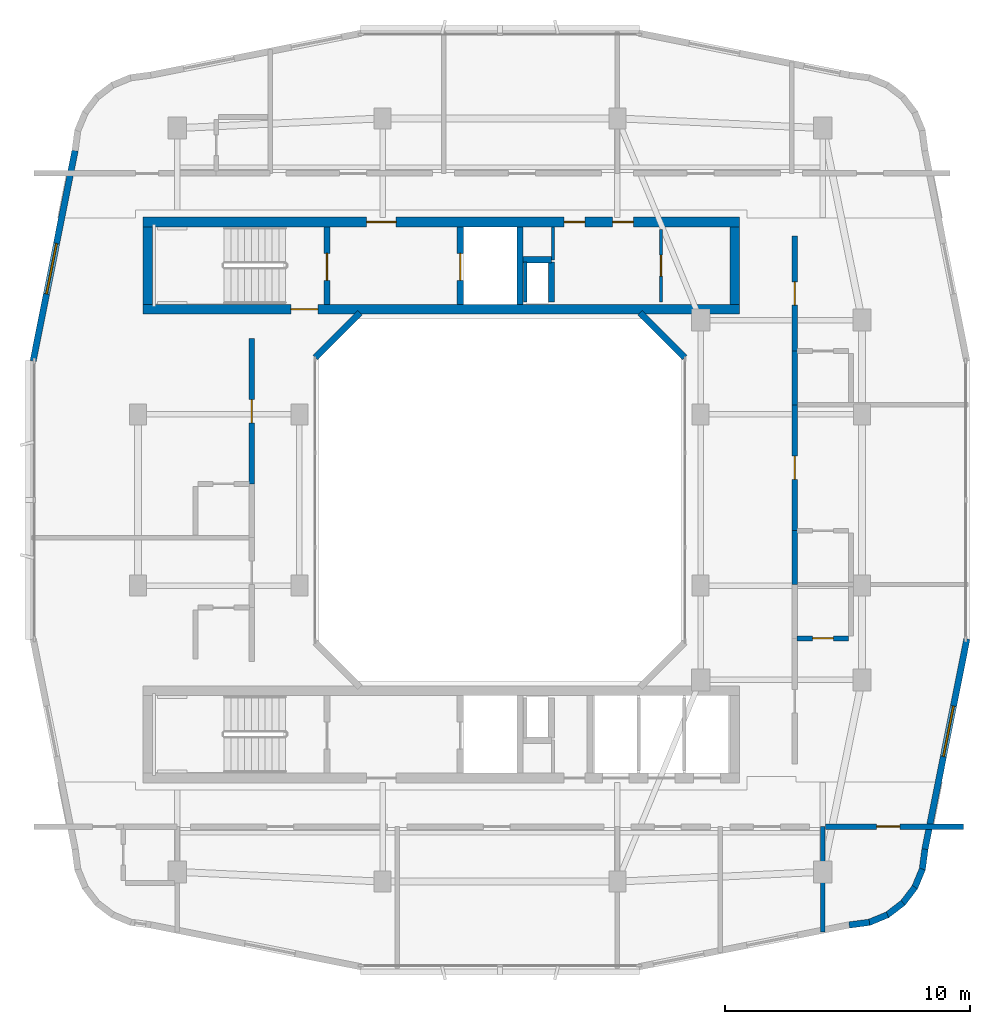
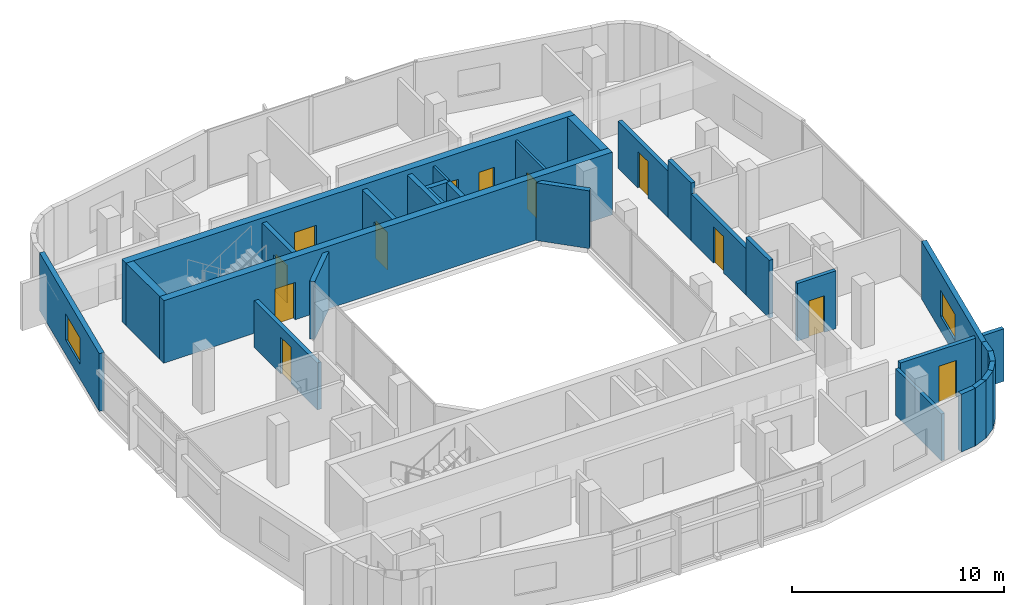
# One storey, part 8 of 14: 30 walls, 12 doors, 2 windows, 14 openings.
"""IFC4 building model written with IfcOpenShell, lengths in metres."""

from ifc_helpers import new_model, si_unit, derived_unit, direction, frame, frame_2d, origin, place, context, subcontext, project, spatial, rectangle, extrude, material, layer, layer_set, type_object, element, fill, save


model = new_model("IFC4")

# Units and contexts
model_context = context("Model", 3, precision=1e-05, world=origin(), true_north=direction((0.0, 1.0)))
body_context = subcontext(model_context, "Body", "Model", "MODEL_VIEW")
ifc_project = project(units=[si_unit("LENGTHUNIT", "METRE"), si_unit("AREAUNIT", "SQUARE_METRE"), si_unit("VOLUMEUNIT", "CUBIC_METRE"), si_unit("PLANEANGLEUNIT", "RADIAN"), si_unit("MASSUNIT", "GRAM", prefix="KILO"), derived_unit("THERMALTRANSMITTANCEUNIT", [(si_unit("POWERUNIT", "WATT"), 1), (si_unit("LENGTHUNIT", "METRE"), -2), (si_unit("THERMODYNAMICTEMPERATUREUNIT", "KELVIN"), -1)])], contexts=[model_context])

# Site, building, storey
site_placement = place(None, origin())
site = spatial("IfcSite", under=ifc_project, at=site_placement, CompositionType="ELEMENT")
building_placement = place(site_placement, origin())
building = spatial("IfcBuilding", under=site, at=building_placement, Name="Kivonza Crest Hotel", CompositionType="ELEMENT")
storey_placement = place(building_placement, frame((0.0, 0.0, 209.89990234375)))
storey = spatial("IfcBuildingStorey", under=building, at=storey_placement, Name="L57", CompositionType="ELEMENT", Elevation=209.89990234375)

# Wall
ifc_material_1 = material(Name="High-density acoustic masonry inter-tenancy wall", Category="masonry")
ifc_layer_1 = layer(ifc_material_1, 0.179931640625)
ifc_layer_set_1 = layer_set([ifc_layer_1], Name="High-density acoustic masonry inter-tenancy wall")
wall_type_1 = type_object("IfcWallType", Name="WL-ACOU-180", PredefinedType="SOLIDWALL", material=ifc_layer_set_1)
wall_1_placement = place(storey_placement, frame((34.199951171875, 7.342041015625, 0.0), z_axis=(0.0, 0.0, 1.0), x_axis=(0.0, 1.0, 0.0)))
element("IfcWall", 1, at=wall_1_placement, inside=storey, type_object=wall_type_1, Name="L57 interior partition WA-L57-T1S-DIV3", PredefinedType="SOLIDWALL", context=body_context, shape_type="SweptSolid", body=[
    extrude(rectangle(XDim=4.307861328125, YDim=0.179931640625, at=frame_2d((2.15380859375, 0.0))), origin(), (0.0, 0.0, 1.0), 2.695068359375),
])

# Wall, opening, door
ifc_material_2 = material(Name="Autoclaved aerated concrete blockwork", Category="masonry")
ifc_layer_2 = layer(ifc_material_2, 0.219970703125)
ifc_layer_set_2 = layer_set([ifc_layer_2], Name="Autoclaved aerated concrete blockwork")
wall_type_2 = type_object("IfcWallType", Name="WL-ACOU-220", PredefinedType="SOLIDWALL", material=ifc_layer_set_2)
wall_2_placement = place(storey_placement, frame((34.300048828125, 11.64990234375, 0.0), z_axis=(0.0, 0.0, 1.0), x_axis=(1.0, 0.0, 0.0)))
wall_2 = element("IfcWall", 2, at=wall_2_placement, inside=storey, type_object=wall_type_2, Name="L57 interior partition WA-L57-BUS-MTG-N", PredefinedType="SOLIDWALL", context=body_context, shape_type="SweptSolid", body=[
    extrude(rectangle(XDim=5.639892578125, YDim=0.219970703125, at=frame_2d((2.81982421875, 0.0))), origin(), (0.0, 0.0, 1.0), 3.01513671875),
])
opening_1_placement = place(wall_2_placement, frame((2.10009765625, 0.0, 0.0)))
opening_1 = element("IfcOpeningElement", 3, at=opening_1_placement, cuts=wall_2, Name="Opening DF-60S", PredefinedType="OPENING", context=body_context, shape_type="SweptSolid", body=[
    extrude(rectangle(XDim=0.949951171875, YDim=2.10009765625, at=frame_2d((0.47509765625, 1.050048828125))), frame((0.0, 0.1201171875, 0.0), z_axis=(0.0, -1.0, 0.0), x_axis=(1.0, 0.0, 0.0)), (0.0, 0.0, 1.0), 0.239990234375),
])
ifc_material_3 = material(Name="Hardwood timber oak", Category="wood")
door_type_1 = type_object("IfcDoorType", Name="DR-FD60-950", OperationType="NOTDEFINED", PredefinedType="DOOR", material=ifc_material_3)
door_1_placement = place(opening_1_placement, frame((0.949951171875, 0.0, 0.0), z_axis=(0.0, 0.0, 1.0), x_axis=(-1.0, 0.0, 0.0)))
door_1 = element("IfcDoor", 4, at=door_1_placement, inside=storey, type_object=door_type_1, Name="L57 Floor Conference Boardroom door", OperationType="SINGLE_SWING_RIGHT", OverallHeight=2.10009765625, OverallWidth=0.949951171875, PredefinedType="DOOR", context=body_context, shape_type="SweptSolid", body=[
    extrude(rectangle(XDim=0.949951171875, YDim=2.10009765625, at=frame_2d((0.47509765625, 1.050048828125))), frame((0.0, 0.02490234375, 0.0), z_axis=(0.0, -1.0, 0.0), x_axis=(1.0, 0.0, 0.0)), (0.0, 0.0, 1.0), 0.050048828125),
])
fill(opening_1, door_1)

wall_3_placement = place(storey_placement, frame((10.85009765625, 25.659912109375, 0.0), z_axis=(0.0, 0.0, 1.0), x_axis=(0.0, 1.0, 0.0)))
wall_3 = element("IfcWall", 5, at=wall_3_placement, inside=storey, type_object=wall_type_2, Name="L57 interior partition WA-L57-W04-MCORR", PredefinedType="SOLIDWALL", context=body_context, shape_type="SweptSolid", body=[
    extrude(rectangle(XDim=5.940185546875, YDim=0.219970703125, at=frame_2d((2.97021484375, 0.0))), origin(), (0.0, 0.0, 1.0), 2.695068359375),
])
opening_2_placement = place(wall_3_placement, frame((2.4951171875, 0.0, 0.0)))
opening_2 = element("IfcOpeningElement", 6, at=opening_2_placement, cuts=wall_3, Name="Opening DU-60", PredefinedType="OPENING", context=body_context, shape_type="SweptSolid", body=[
    extrude(rectangle(XDim=0.949951171875, YDim=2.10009765625, at=frame_2d((0.47509765625, 1.050048828125))), frame((0.0, 0.1201171875, 0.0), z_axis=(0.0, -1.0, 0.0), x_axis=(1.0, 0.0, 0.0)), (0.0, 0.0, 1.0), 0.239990234375),
])
door_type_2 = type_object("IfcDoorType", Name="DR-UNIT-950", OperationType="NOTDEFINED", PredefinedType="DOOR", material=ifc_material_3)
door_2_placement = place(opening_2_placement, origin())
door_2 = element("IfcDoor", 7, at=door_2_placement, inside=storey, type_object=door_type_2, Name="L57 W04 guest unit entrance fire door", OperationType="SINGLE_SWING_RIGHT", OverallHeight=2.10009765625, OverallWidth=0.949951171875, PredefinedType="DOOR", context=body_context, shape_type="SweptSolid", body=[
    extrude(rectangle(XDim=0.949951171875, YDim=2.10009765625, at=frame_2d((0.47509765625, 1.050048828125))), frame((0.0, 0.02490234375, 0.0), z_axis=(0.0, -1.0, 0.0), x_axis=(1.0, 0.0, 0.0)), (0.0, 0.0, 1.0), 0.050048828125),
])
fill(opening_2, door_2)

# Wall
wall_4_placement = place(storey_placement, frame((33.050048828125, 21.5439453125, 0.0), z_axis=(0.0, 0.0, 1.0), x_axis=(0.0, 1.0, 0.0)))
element("IfcWall", 8, at=wall_4_placement, inside=storey, type_object=wall_type_2, Name="L57 interior partition WA-L57-E06-BCORR", PredefinedType="SOLIDWALL", context=body_context, shape_type="SweptSolid", body=[
    extrude(rectangle(XDim=2.199951171875, YDim=0.219970703125, at=frame_2d((1.10009765625, 0.0))), origin(), (0.0, 0.0, 1.0), 3.320068359375),
])

# Wall, opening, door
wall_5_placement = place(storey_placement, frame((33.050048828125, 23.743896484375, 0.0), z_axis=(0.0, 0.0, 1.0), x_axis=(0.0, 1.0, 0.0)))
wall_5 = element("IfcWall", 9, at=wall_5_placement, inside=storey, type_object=wall_type_2, Name="L57 interior partition WA-L57-E06-MCORR", PredefinedType="SOLIDWALL", context=body_context, shape_type="SweptSolid", body=[
    extrude(rectangle(XDim=5.14404296875, YDim=0.219970703125, at=frame_2d((2.572021484375, 0.0))), origin(), (0.0, 0.0, 1.0), 2.695068359375),
])
opening_3_placement = place(wall_5_placement, frame((2.096923828125, 0.0, 0.0)))
opening_3 = element("IfcOpeningElement", 10, at=opening_3_placement, cuts=wall_5, Name="Opening DU-60", PredefinedType="OPENING", context=body_context, shape_type="SweptSolid", body=[
    extrude(rectangle(XDim=0.949951171875, YDim=2.10009765625, at=frame_2d((0.47509765625, 1.050048828125))), frame((0.0, 0.1201171875, 0.0), z_axis=(0.0, -1.0, 0.0), x_axis=(1.0, 0.0, 0.0)), (0.0, 0.0, 1.0), 0.239990234375),
])
door_3_placement = place(opening_3_placement, frame((0.949951171875, 0.0, 0.0), z_axis=(0.0, 0.0, 1.0), x_axis=(-1.0, 0.0, 0.0)))
door_3 = element("IfcDoor", 11, at=door_3_placement, inside=storey, type_object=door_type_2, Name="L57 E06 guest unit entrance fire door", OperationType="SINGLE_SWING_RIGHT", OverallHeight=2.10009765625, OverallWidth=0.949951171875, PredefinedType="DOOR", context=body_context, shape_type="SweptSolid", body=[
    extrude(rectangle(XDim=0.949951171875, YDim=2.10009765625, at=frame_2d((0.47509765625, 1.050048828125))), frame((0.0, 0.02490234375, 0.0), z_axis=(0.0, -1.0, 0.0), x_axis=(1.0, 0.0, 0.0)), (0.0, 0.0, 1.0), 0.050048828125),
])
fill(opening_3, door_3)

# Wall
wall_6_placement = place(storey_placement, frame((33.050048828125, 28.887939453125, 0.0), z_axis=(0.0, 0.0, 1.0), x_axis=(0.0, 1.0, 0.0)))
element("IfcWall", 12, at=wall_6_placement, inside=storey, type_object=wall_type_2, Name="L57 interior partition WA-L57-E07-BCORR", PredefinedType="SOLIDWALL", context=body_context, shape_type="SweptSolid", body=[
    extrude(rectangle(XDim=2.199951171875, YDim=0.219970703125, at=frame_2d((1.10009765625, 0.0))), origin(), (0.0, 0.0, 1.0), 3.320068359375),
])

# Wall, opening, door
wall_7_placement = place(storey_placement, frame((33.050048828125, 31.087890625, 0.0), z_axis=(0.0, 0.0, 1.0), x_axis=(0.0, 1.0, 0.0)))
wall_7 = element("IfcWall", 13, at=wall_7_placement, inside=storey, type_object=wall_type_2, Name="L57 interior partition WA-L57-E07-MCORR", PredefinedType="SOLIDWALL", context=body_context, shape_type="SweptSolid", body=[
    extrude(rectangle(XDim=4.712158203125, YDim=0.219970703125, at=frame_2d((2.35595703125, 0.0))), origin(), (0.0, 0.0, 1.0), 2.695068359375),
])
opening_4_placement = place(wall_7_placement, frame((1.881103515625, 0.0, 0.0)))
opening_4 = element("IfcOpeningElement", 14, at=opening_4_placement, cuts=wall_7, Name="Opening DU-60", PredefinedType="OPENING", context=body_context, shape_type="SweptSolid", body=[
    extrude(rectangle(XDim=0.949951171875, YDim=2.10009765625, at=frame_2d((0.47509765625, 1.050048828125))), frame((0.0, 0.1201171875, 0.0), z_axis=(0.0, -1.0, 0.0), x_axis=(1.0, 0.0, 0.0)), (0.0, 0.0, 1.0), 0.239990234375),
])
door_4_placement = place(opening_4_placement, frame((0.949951171875, 0.0, 0.0), z_axis=(0.0, 0.0, 1.0), x_axis=(-1.0, 0.0, 0.0)))
door_4 = element("IfcDoor", 15, at=door_4_placement, inside=storey, type_object=door_type_2, Name="L57 E07 guest unit entrance fire door", OperationType="SINGLE_SWING_LEFT", OverallHeight=2.10009765625, OverallWidth=0.949951171875, PredefinedType="DOOR", context=body_context, shape_type="SweptSolid", body=[
    extrude(rectangle(XDim=0.949951171875, YDim=2.10009765625, at=frame_2d((0.47509765625, 1.050048828125))), frame((0.0, 0.02490234375, 0.0), z_axis=(0.0, -1.0, 0.0), x_axis=(1.0, 0.0, 0.0)), (0.0, 0.0, 1.0), 0.050048828125),
])
fill(opening_4, door_4)

ifc_material_4 = material(Name="Concrete C50/60", Category="concrete")
ifc_layer_3 = layer(ifc_material_4, 0.39990234375)
ifc_layer_set_3 = layer_set([ifc_layer_3], Name="Concrete C50/60")
wall_type_3 = type_object("IfcWallType", Name="WL-CORE-400", PredefinedType="SHEAR", material=ifc_layer_set_3)
wall_8_placement = place(storey_placement, frame((6.39990234375, 32.800048828125, 0.0), z_axis=(0.0, 0.0, 1.0), x_axis=(1.0, 0.0, 0.0)))
wall_8 = element("IfcWall", 16, at=wall_8_placement, inside=storey, type_object=wall_type_3, Name="Core wall T1-N South L57", PredefinedType="SHEAR", context=body_context, shape_type="SweptSolid", body=[
    extrude(rectangle(XDim=24.400146484375, YDim=0.39990234375, at=frame_2d((12.2001953125, 0.0))), origin(), (0.0, 0.0, 1.0), 3.60009765625),
])
opening_5_placement = place(wall_8_placement, frame((6.050048828125, 0.0, 0.0)))
opening_5 = element("IfcOpeningElement", 17, at=opening_5_placement, cuts=wall_8, Name="Opening DF-120", PredefinedType="OPENING", context=body_context, shape_type="SweptSolid", body=[
    extrude(rectangle(XDim=1.10009765625, YDim=2.14990234375, at=frame_2d((0.550048828125, 1.074951171875))), frame((0.0, 0.2099609375, 0.0), z_axis=(0.0, -1.0, 0.0), x_axis=(1.0, 0.0, 0.0)), (0.0, 0.0, 1.0), 0.419921875),
])
ifc_material_5 = material(Name="Galvanised steel", Category="steel")
door_type_3 = type_object("IfcDoorType", Name="DR-FD120-1100", OperationType="NOTDEFINED", PredefinedType="DOOR", material=ifc_material_5)
door_5_placement = place(opening_5_placement, origin())
door_5 = element("IfcDoor", 18, at=door_5_placement, inside=storey, type_object=door_type_3, Name="L57 West corridor stair access fire door", OperationType="SINGLE_SWING_LEFT", OverallHeight=2.14990234375, OverallWidth=1.10009765625, PredefinedType="DOOR", context=body_context, shape_type="SweptSolid", body=[
    extrude(rectangle(XDim=1.10009765625, YDim=2.14990234375, at=frame_2d((0.550048828125, 1.074951171875))), frame((0.0, 0.02490234375, 0.0), z_axis=(0.0, -1.0, 0.0), x_axis=(1.0, 0.0, 0.0)), (0.0, 0.0, 1.0), 0.050048828125),
])
fill(opening_5, door_5)

# Wall, openings, doors
wall_9_placement = place(storey_placement, frame((6.39990234375, 36.360107421875, 0.0), z_axis=(0.0, 0.0, 1.0), x_axis=(1.0, 0.0, 0.0)))
wall_9 = element("IfcWall", 19, at=wall_9_placement, inside=storey, type_object=wall_type_3, Name="Core wall T1-N North L57", PredefinedType="SHEAR", context=body_context, shape_type="SweptSolid", body=[
    extrude(rectangle(XDim=24.400146484375, YDim=0.39990234375, at=frame_2d((12.2001953125, 0.0))), origin(), (0.0, 0.0, 1.0), 3.60009765625),
])
opening_6_placement = place(wall_9_placement, frame((9.14990234375, 0.0, 0.0)))
opening_6 = element("IfcOpeningElement", 20, at=opening_6_placement, cuts=wall_9, Name="Opening DF-60", PredefinedType="OPENING", context=body_context, shape_type="SweptSolid", body=[
    extrude(rectangle(XDim=1.199951171875, YDim=2.14990234375, at=frame_2d((0.60009765625, 1.074951171875))), frame((0.0, 0.2099609375, 0.0), z_axis=(0.0, -1.0, 0.0), x_axis=(1.0, 0.0, 0.0)), (0.0, 0.0, 1.0), 0.419921875),
])
opening_7_placement = place(wall_9_placement, frame((19.199951171875, 0.0, 0.0)))
opening_7 = element("IfcOpeningElement", 21, at=opening_7_placement, cuts=wall_9, Name="Opening DF-60R", PredefinedType="OPENING", context=body_context, shape_type="SweptSolid", body=[
    extrude(rectangle(XDim=0.85009765625, YDim=2.10009765625, at=frame_2d((0.425048828125, 1.050048828125))), frame((0.0, 0.2099609375, 0.0), z_axis=(0.0, -1.0, 0.0), x_axis=(1.0, 0.0, 0.0)), (0.0, 0.0, 1.0), 0.419921875),
])
opening_8_placement = place(wall_9_placement, frame((17.219970703125, 0.0, 0.0)))
opening_8 = element("IfcOpeningElement", 22, at=opening_8_placement, cuts=wall_9, Name="Opening DF-60R", PredefinedType="OPENING", context=body_context, shape_type="SweptSolid", body=[
    extrude(rectangle(XDim=0.85009765625, YDim=2.10009765625, at=frame_2d((0.425048828125, 1.050048828125))), frame((0.0, 0.2099609375, 0.0), z_axis=(0.0, -1.0, 0.0), x_axis=(1.0, 0.0, 0.0)), (0.0, 0.0, 1.0), 0.419921875),
])
door_type_4 = type_object("IfcDoorType", Name="DR-FD60-1200", OperationType="NOTDEFINED", PredefinedType="DOOR", material=ifc_material_3)
door_6_placement = place(opening_6_placement, origin())
door_6 = element("IfcDoor", 23, at=door_6_placement, inside=storey, type_object=door_type_4, Name="L57 T1-N firefighting lobby fire door", OperationType="SINGLE_SWING_RIGHT", OverallHeight=2.14990234375, OverallWidth=1.199951171875, PredefinedType="DOOR", context=body_context, shape_type="SweptSolid", body=[
    extrude(rectangle(XDim=1.199951171875, YDim=2.14990234375, at=frame_2d((0.60009765625, 1.074951171875))), frame((0.0, 0.02490234375, 0.0), z_axis=(0.0, -1.0, 0.0), x_axis=(1.0, 0.0, 0.0)), (0.0, 0.0, 1.0), 0.050048828125),
])
fill(opening_6, door_6)
door_type_5 = type_object("IfcDoorType", Name="DR-FD60-850", OperationType="NOTDEFINED", PredefinedType="DOOR", material=ifc_material_3)
door_7_placement = place(opening_7_placement, origin())
door_7 = element("IfcDoor", 24, at=door_7_placement, inside=storey, type_object=door_type_5, Name="L57 T1-N reclaimed core service door", OperationType="SINGLE_SWING_LEFT", OverallHeight=2.10009765625, OverallWidth=0.85009765625, PredefinedType="DOOR", context=body_context, shape_type="SweptSolid", body=[
    extrude(rectangle(XDim=0.85009765625, YDim=2.10009765625, at=frame_2d((0.425048828125, 1.050048828125))), frame((0.0, 0.02490234375, 0.0), z_axis=(0.0, -1.0, 0.0), x_axis=(1.0, 0.0, 0.0)), (0.0, 0.0, 1.0), 0.050048828125),
])
fill(opening_7, door_7)
door_8_placement = place(opening_8_placement, origin())
door_8 = element("IfcDoor", 25, at=door_8_placement, inside=storey, type_object=door_type_5, Name="L57 T1-N core room door", OperationType="SINGLE_SWING_RIGHT", OverallHeight=2.10009765625, OverallWidth=0.85009765625, PredefinedType="DOOR", context=body_context, shape_type="SweptSolid", body=[
    extrude(rectangle(XDim=0.85009765625, YDim=2.10009765625, at=frame_2d((0.425048828125, 1.050048828125))), frame((0.0, 0.02490234375, 0.0), z_axis=(0.0, -1.0, 0.0), x_axis=(1.0, 0.0, 0.0)), (0.0, 0.0, 1.0), 0.050048828125),
])
fill(opening_8, door_8)

# Walls
for number, where, z_axis, x_axis, name in (
    (26, (6.60009765625, 33.0, 0.0), (0.0, 0.0, 1.0), (0.0, 1.0, 0.0), "Core wall T1-N West L57"),
    (27, (30.60009765625, 33.0, 0.0), (0.0, 0.0, 1.0), (0.0, 1.0, 0.0), "Core wall T1-N East L57"),
):
    element("IfcWall", number, at=place(storey_placement, frame(where, z_axis=z_axis, x_axis=x_axis)), inside=storey, type_object=wall_type_3, Name=name, PredefinedType="SHEAR", context=body_context, shape_type="SweptSolid", body=[
        extrude(rectangle(XDim=3.159912109375, YDim=0.39990234375, at=frame_2d((1.580078125, 0.0))), origin(), (0.0, 0.0, 1.0), 3.60009765625),
    ])
ifc_material_6 = material(Name="Precast concrete C40/50", Category="concrete")
ifc_layer_4 = layer(ifc_material_6, 0.260009765625)
ifc_layer_set_4 = layer_set([ifc_layer_4], Name="Precast concrete C40/50")
wall_type_4 = type_object("IfcWallType", Name="WL-EXT-260", PredefinedType="STANDARD", material=ifc_layer_set_4)
wall_10_placement = place(storey_placement, frame((35.27490234375, 7.6279296875, 0.0), z_axis=(0.0, 0.0, 1.0), x_axis=(0.9913883573, 0.130954667764, 0.0)))
element("IfcWall", 28, at=wall_10_placement, inside=storey, type_object=wall_type_4, Name="L57 T1 exterior insulated wall 10", PredefinedType="STANDARD", context=body_context, shape_type="SweptSolid", body=[
    extrude(rectangle(XDim=0.833251953125, YDim=0.260009765625, at=frame_2d((0.41650390625, 0.0))), origin(), (0.0, 0.0, 1.0), 3.320068359375),
])
wall_11_placement = place(storey_placement, frame((36.054931640625, 7.718994140625, 0.0), z_axis=(0.0, 0.0, 1.0), x_axis=(0.923754491172, 0.382985169477, 0.0)))
element("IfcWall", 29, at=wall_11_placement, inside=storey, type_object=wall_type_4, Name="L57 T1 exterior insulated wall 11", PredefinedType="STANDARD", context=body_context, shape_type="SweptSolid", body=[
    extrude(rectangle(XDim=0.85107421875, YDim=0.260009765625, at=frame_2d((0.425537109375, 0.0))), origin(), (0.0, 0.0, 1.0), 3.320068359375),
])
for number, where, z_axis, x_axis, name in (
    (30, (36.801025390625, 8.01708984375, 0.0), (0.0, 0.0, 1.0), (0.793999057278, 0.607918988881, 0.0), "L57 T1 exterior insulated wall 12"),
    (31, (37.445068359375, 8.49609375, 0.0), (0.0, 0.0, 1.0), (0.608057619941, 0.793892896323, 0.0), "L57 T1 exterior insulated wall 13"),
):
    element("IfcWall", number, at=place(storey_placement, frame(where, z_axis=z_axis, x_axis=x_axis)), inside=storey, type_object=wall_type_4, Name=name, PredefinedType="STANDARD", context=body_context, shape_type="SweptSolid", body=[
        extrude(rectangle(XDim=0.85009765625, YDim=0.260009765625, at=frame_2d((0.425048828125, 0.0))), origin(), (0.0, 0.0, 1.0), 3.320068359375),
    ])
wall_12_placement = place(storey_placement, frame((37.94091796875, 9.126953125, 0.0), z_axis=(0.0, 0.0, 1.0), x_axis=(0.383229930484, 0.923652976167, 0.0)))
element("IfcWall", 32, at=wall_12_placement, inside=storey, type_object=wall_type_4, Name="L57 T1 exterior insulated wall 14", PredefinedType="STANDARD", context=body_context, shape_type="SweptSolid", body=[
    extrude(rectangle(XDim=0.85107421875, YDim=0.260009765625, at=frame_2d((0.425537109375, 0.0))), origin(), (0.0, 0.0, 1.0), 3.320068359375),
])
wall_13_placement = place(storey_placement, frame((38.259033203125, 9.864013671875, 0.0), z_axis=(0.0, 0.0, 1.0), x_axis=(0.130156359936, 0.991493480548, 0.0)))
element("IfcWall", 33, at=wall_13_placement, inside=storey, type_object=wall_type_4, Name="L57 T1 exterior insulated wall 15", PredefinedType="STANDARD", context=body_context, shape_type="SweptSolid", body=[
    extrude(rectangle(XDim=0.868408203125, YDim=0.260009765625, at=frame_2d((0.43408203125, 0.0))), origin(), (0.0, 0.0, 1.0), 3.320068359375),
])

# Wall, opening, window
wall_14_placement = place(storey_placement, frame((38.37109375, 10.717041015625, 0.0), z_axis=(0.0, 0.0, 1.0), x_axis=(0.195291715883, 0.980745199176, 0.0)))
wall_14 = element("IfcWall", 34, at=wall_14_placement, inside=storey, type_object=wall_type_4, Name="L57 T1 exterior insulated wall 16", PredefinedType="STANDARD", context=body_context, shape_type="SweptSolid", body=[
    extrude(rectangle(XDim=8.77099609375, YDim=0.260009765625, at=frame_2d((4.385498046875, 0.0))), origin(), (0.0, 0.0, 1.0), 3.320068359375),
])
opening_9_placement = place(wall_14_placement, frame((3.873046875, 0.0, 0.85009765625)))
opening_9 = element("IfcOpeningElement", 35, at=opening_9_placement, cuts=wall_14, Name="Opening WN-04", PredefinedType="OPENING", context=body_context, shape_type="SweptSolid", body=[
    extrude(rectangle(XDim=2.10009765625, YDim=1.5, at=frame_2d((1.050048828125, 0.75))), frame((0.0, 0.14013671875, 0.0), z_axis=(0.0, -1.0, 0.0), x_axis=(1.0, 0.0, 0.0)), (0.0, 0.0, 1.0), 0.280029296875),
])
ifc_material_7 = material(Name="Thermally broken bronze aluminium and low-E double glazing", Category="aluminium")
window_type = type_object("IfcWindowType", Name="WN-210x150", PartitioningType="DOUBLE_PANEL_VERTICAL", PredefinedType="WINDOW", material=ifc_material_7)
window_1_placement = place(opening_9_placement, origin())
window_1 = element("IfcWindow", 36, at=window_1_placement, inside=storey, type_object=window_type, Name="L57 T1 facade window 16", OverallHeight=1.5, OverallWidth=2.10009765625, PartitioningType="SINGLE_PANEL", PredefinedType="WINDOW", context=body_context, shape_type="SweptSolid", body=[
    extrude(rectangle(XDim=2.10009765625, YDim=1.5, at=frame_2d((1.050048828125, 0.75))), frame((0.0, 0.030029296875, 0.0), z_axis=(0.0, -1.0, 0.0), x_axis=(1.0, 0.0, 0.0)), (0.0, 0.0, 1.0), 0.06005859375),
])
fill(opening_9, window_1)

wall_15_placement = place(storey_placement, frame((3.62890625, 39.282958984375, 0.0), z_axis=(0.0, 0.0, 1.0), x_axis=(-0.195291715883, -0.980745199176, 0.0)))
wall_15 = element("IfcWall", 37, at=wall_15_placement, inside=storey, type_object=wall_type_4, Name="L57 T1 exterior insulated wall 34", PredefinedType="STANDARD", context=body_context, shape_type="SweptSolid", body=[
    extrude(rectangle(XDim=8.77099609375, YDim=0.260009765625, at=frame_2d((4.385498046875, 0.0))), origin(), (0.0, 0.0, 1.0), 3.320068359375),
])
opening_10_placement = place(wall_15_placement, frame((3.873046875, 0.0, 0.85009765625)))
opening_10 = element("IfcOpeningElement", 38, at=opening_10_placement, cuts=wall_15, Name="Opening WN-04", PredefinedType="OPENING", context=body_context, shape_type="SweptSolid", body=[
    extrude(rectangle(XDim=2.10009765625, YDim=1.5, at=frame_2d((1.050048828125, 0.75))), frame((0.0, 0.14013671875, 0.0), z_axis=(0.0, -1.0, 0.0), x_axis=(1.0, 0.0, 0.0)), (0.0, 0.0, 1.0), 0.280029296875),
])
window_2_placement = place(opening_10_placement, origin())
window_2 = element("IfcWindow", 39, at=window_2_placement, inside=storey, type_object=window_type, Name="L57 T1 facade window 34", OverallHeight=1.5, OverallWidth=2.10009765625, PartitioningType="SINGLE_PANEL", PredefinedType="WINDOW", context=body_context, shape_type="SweptSolid", body=[
    extrude(rectangle(XDim=2.10009765625, YDim=1.5, at=frame_2d((1.050048828125, 0.75))), frame((0.0, 0.030029296875, 0.0), z_axis=(0.0, -1.0, 0.0), x_axis=(1.0, 0.0, 0.0)), (0.0, 0.0, 1.0), 0.06005859375),
])
fill(opening_10, window_2)

# Walls
for number, where, z_axis, x_axis, name in (
    (40, (28.555908203125, 30.827880859375, 0.0), (0.0, 0.0, 1.0), (-0.707059717605, 0.707153841636, 0.0), "L57 T1 light-well exterior wall 4"),
    (41, (15.278076171875, 32.662109375, 0.0), (0.0, 0.0, 1.0), (-0.707059717605, -0.707153841636, 0.0), "L57 T1 light-well exterior wall 6"),
):
    element("IfcWall", number, at=place(storey_placement, frame(where, z_axis=z_axis, x_axis=x_axis)), inside=storey, type_object=wall_type_4, Name=name, PredefinedType="STANDARD", context=body_context, shape_type="SweptSolid", body=[
        extrude(rectangle(XDim=2.59375, YDim=0.260009765625, at=frame_2d((1.296875, 0.0))), origin(), (0.0, 0.0, 1.0), 3.320068359375),
    ])
ifc_material_8 = material(Name="Concrete blockwork fire-compartment wall", Category="masonry")
ifc_layer_5 = layer(ifc_material_8, 0.25)
ifc_layer_set_5 = layer_set([ifc_layer_5], Name="Concrete blockwork fire-compartment wall")
wall_type_5 = type_object("IfcWallType", Name="WL-FIRE-250", PredefinedType="SOLIDWALL", material=ifc_layer_set_5)
wall_16_placement = place(storey_placement, frame((23.10009765625, 33.10009765625, 0.0), z_axis=(0.0, 0.0, 1.0), x_axis=(0.0, 1.0, 0.0)))
element("IfcWall", 42, at=wall_16_placement, inside=storey, type_object=wall_type_5, Name="L57 interior partition WA-L57-T1-N-MEPR-E", PredefinedType="SOLIDWALL", context=body_context, shape_type="SweptSolid", body=[
    extrude(rectangle(XDim=1.619873046875, YDim=0.25, at=frame_2d((0.81005859375, 0.0))), origin(), (0.0, 0.0, 1.0), 3.320068359375),
])
wall_17_placement = place(storey_placement, frame((21.949951171875, 34.820068359375, 0.0), z_axis=(0.0, 0.0, 1.0), x_axis=(1.0, 0.0, 0.0)))
element("IfcWall", 43, at=wall_17_placement, inside=storey, type_object=wall_type_5, Name="L57 interior partition WA-L57-T1-N-MEPR-H", PredefinedType="SOLIDWALL", context=body_context, shape_type="SweptSolid", body=[
    extrude(rectangle(XDim=1.150146484375, YDim=0.25, at=frame_2d((0.5751953125, 0.0))), origin(), (0.0, 0.0, 1.0), 3.320068359375),
])

# Wall, opening, door
ifc_material_9 = material(Name="Metal-stud gypsum board partition", Category="gypsum")
ifc_layer_6 = layer(ifc_material_9, 0.125)
ifc_layer_set_6 = layer_set([ifc_layer_6], Name="Metal-stud gypsum board partition")
wall_type_6 = type_object("IfcWallType", Name="WL-PART-125", PredefinedType="PARTITIONING", material=ifc_layer_set_6)
wall_18_placement = place(storey_placement, frame((27.580078125, 33.10009765625, 0.0), z_axis=(0.0, 0.0, 1.0), x_axis=(0.0, 1.0, 0.0)))
wall_18 = element("IfcWall", 44, at=wall_18_placement, inside=storey, type_object=wall_type_6, Name="L57 interior partition WP-L57-T1-N-RECL", PredefinedType="PARTITIONING", context=body_context, shape_type="SweptSolid", body=[
    extrude(rectangle(XDim=2.9599609375, YDim=0.125, at=frame_2d((1.47998046875, 0.0))), origin(), (0.0, 0.0, 1.0), 3.320068359375),
])
opening_11_placement = place(wall_18_placement, frame((1.054931640625, 0.0, 0.0)))
opening_11 = element("IfcOpeningElement", 45, at=opening_11_placement, cuts=wall_18, Name="Opening DI-85", PredefinedType="OPENING", context=body_context, shape_type="SweptSolid", body=[
    extrude(rectangle(XDim=0.85009765625, YDim=2.10009765625, at=frame_2d((0.425048828125, 1.050048828125))), frame((0.0, 0.072509765625, 0.0), z_axis=(0.0, -1.0, 0.0), x_axis=(1.0, 0.0, 0.0)), (0.0, 0.0, 1.0), 0.14501953125),
])
door_type_6 = type_object("IfcDoorType", Name="DR-INT-850", OperationType="NOTDEFINED", PredefinedType="DOOR", material=ifc_material_3)
door_9_placement = place(opening_11_placement, origin())
door_9 = element("IfcDoor", 46, at=door_9_placement, inside=storey, type_object=door_type_6, Name="L57 T1-N reclaimed inner pantry door", OperationType="SINGLE_SWING_LEFT", OverallHeight=2.10009765625, OverallWidth=0.85009765625, PredefinedType="DOOR", context=body_context, shape_type="SweptSolid", body=[
    extrude(rectangle(XDim=0.85009765625, YDim=2.10009765625, at=frame_2d((0.425048828125, 1.050048828125))), frame((0.0, 0.02490234375, 0.0), z_axis=(0.0, -1.0, 0.0), x_axis=(1.0, 0.0, 0.0)), (0.0, 0.0, 1.0), 0.050048828125),
])
fill(opening_11, door_9)

# Walls
wall_19_placement = place(storey_placement, frame((23.159912109375, 34.820068359375, 0.0), z_axis=(0.0, 0.0, 1.0), x_axis=(0.0, 1.0, 0.0)))
element("IfcWall", 47, at=wall_19_placement, inside=storey, type_object=wall_type_6, Name="L57 interior partition WP-L57-T1-N-SV1V", PredefinedType="PARTITIONING", context=body_context, shape_type="SweptSolid", body=[
    extrude(rectangle(XDim=1.33984375, YDim=0.125, at=frame_2d((0.669921875, 0.0))), origin(), (0.0, 0.0, 1.0), 3.320068359375),
])
ifc_material_10 = material(Name="Twin-stud acoustic gypsum board partition", Category="gypsum")
ifc_layer_7 = layer(ifc_material_10, 0.14990234375)
ifc_layer_set_7 = layer_set([ifc_layer_7], Name="Twin-stud acoustic gypsum board partition")
wall_type_7 = type_object("IfcWallType", Name="WL-PART-150", PredefinedType="PARTITIONING", material=ifc_layer_set_7)
wall_20_placement = place(storey_placement, frame((22.030029296875, 33.10009765625, 0.0), z_axis=(0.0, 0.0, 1.0), x_axis=(0.0, 1.0, 0.0)))
element("IfcWall", 48, at=wall_20_placement, inside=storey, type_object=wall_type_7, Name="L57 interior partition WA-L57-T1-N-MEPR-W", PredefinedType="PARTITIONING", context=body_context, shape_type="SweptSolid", body=[
    extrude(rectangle(XDim=1.619873046875, YDim=0.14990234375, at=frame_2d((0.81005859375, 0.0))), origin(), (0.0, 0.0, 1.0), 3.320068359375),
])

# Wall, opening, door
ifc_material_11 = material(Name="Moisture-resistant plumbing chase partition wall", Category="gypsum")
ifc_layer_8 = layer(ifc_material_11, 0.199951171875)
ifc_layer_set_8 = layer_set([ifc_layer_8], Name="Moisture-resistant plumbing chase partition wall")
wall_type_8 = type_object("IfcWallType", Name="WL-PLUMB-200", PredefinedType="PLUMBINGWALL", material=ifc_layer_set_8)
wall_21_placement = place(storey_placement, frame((33.14990234375, 19.343994140625, 0.0), z_axis=(0.0, 0.0, 1.0), x_axis=(1.0, 0.0, 0.0)))
wall_21 = element("IfcWall", 49, at=wall_21_placement, inside=storey, type_object=wall_type_8, Name="L57 interior partition WW-L57-E05-BH", PredefinedType="PLUMBINGWALL", context=body_context, shape_type="SweptSolid", body=[
    extrude(rectangle(XDim=2.10009765625, YDim=0.199951171875, at=frame_2d((1.050048828125, 0.0))), origin(), (0.0, 0.0, 1.0), 3.320068359375),
])
opening_12_placement = place(wall_21_placement, frame((0.625, 0.0, 0.0)))
opening_12 = element("IfcOpeningElement", 50, at=opening_12_placement, cuts=wall_21, Name="Opening DI-85", PredefinedType="OPENING", context=body_context, shape_type="SweptSolid", body=[
    extrude(rectangle(XDim=0.85009765625, YDim=2.10009765625, at=frame_2d((0.425048828125, 1.050048828125))), frame((0.0, 0.10986328125, 0.0), z_axis=(0.0, -1.0, 0.0), x_axis=(1.0, 0.0, 0.0)), (0.0, 0.0, 1.0), 0.219970703125),
])
door_10_placement = place(opening_12_placement, frame((0.85009765625, 0.0, 0.0), z_axis=(0.0, 0.0, 1.0), x_axis=(-1.0, 0.0, 0.0)))
door_10 = element("IfcDoor", 51, at=door_10_placement, inside=storey, type_object=door_type_6, Name="L57 E05 en-suite bathroom door", OperationType="SINGLE_SWING_RIGHT", OverallHeight=2.10009765625, OverallWidth=0.85009765625, PredefinedType="DOOR", context=body_context, shape_type="SweptSolid", body=[
    extrude(rectangle(XDim=0.85009765625, YDim=2.10009765625, at=frame_2d((0.425048828125, 1.050048828125))), frame((0.0, 0.02490234375, 0.0), z_axis=(0.0, -1.0, 0.0), x_axis=(1.0, 0.0, 0.0)), (0.0, 0.0, 1.0), 0.050048828125),
])
fill(opening_12, door_10)

ifc_layer_9 = layer(ifc_material_4, 0.25)
ifc_layer_set_9 = layer_set([ifc_layer_9], Name="Concrete C50/60")
wall_type_9 = type_object("IfcWallType", Name="WL-SHAFT-250", PredefinedType="STANDARD", material=ifc_layer_set_9)
wall_22_placement = place(storey_placement, frame((13.925048828125, 33.0, 0.0), z_axis=(0.0, 0.0, 1.0), x_axis=(0.0, 1.0, 0.0)))
wall_22 = element("IfcWall", 52, at=wall_22_placement, inside=storey, type_object=wall_type_9, Name="Core shaft wall T1-N STAIR L57", PredefinedType="STANDARD", context=body_context, shape_type="SweptSolid", body=[
    extrude(rectangle(XDim=3.159912109375, YDim=0.25, at=frame_2d((1.580078125, 0.0))), origin(), (0.0, 0.0, 1.0), 3.320068359375),
])
opening_13_placement = place(wall_22_placement, frame((0.97998046875, 0.0, 0.0)))
opening_13 = element("IfcOpeningElement", 53, at=opening_13_placement, cuts=wall_22, Name="Opening DF-120", PredefinedType="OPENING", context=body_context, shape_type="SweptSolid", body=[
    extrude(rectangle(XDim=1.10009765625, YDim=2.14990234375, at=frame_2d((0.550048828125, 1.074951171875))), frame((0.0, 0.135009765625, 0.0), z_axis=(0.0, -1.0, 0.0), x_axis=(1.0, 0.0, 0.0)), (0.0, 0.0, 1.0), 0.27001953125),
])
door_11_placement = place(opening_13_placement, frame((1.10009765625, 0.0, 0.0), z_axis=(0.0, 0.0, 1.0), x_axis=(-1.0, 0.0, 0.0)))
door_11 = element("IfcDoor", 54, at=door_11_placement, inside=storey, type_object=door_type_3, Name="L57 T1-N stair fire door", OperationType="SINGLE_SWING_LEFT", OverallHeight=2.14990234375, OverallWidth=1.10009765625, PredefinedType="DOOR", context=body_context, shape_type="SweptSolid", body=[
    extrude(rectangle(XDim=1.10009765625, YDim=2.14990234375, at=frame_2d((0.550048828125, 1.074951171875))), frame((0.0, 0.02490234375, 0.0), z_axis=(0.0, -1.0, 0.0), x_axis=(1.0, 0.0, 0.0)), (0.0, 0.0, 1.0), 0.050048828125),
])
fill(opening_13, door_11)

wall_23_placement = place(storey_placement, frame((19.375, 33.0, 0.0), z_axis=(0.0, 0.0, 1.0), x_axis=(0.0, 1.0, 0.0)))
wall_23 = element("IfcWall", 55, at=wall_23_placement, inside=storey, type_object=wall_type_9, Name="Core shaft wall T1-N FFL-W L57", PredefinedType="STANDARD", context=body_context, shape_type="SweptSolid", body=[
    extrude(rectangle(XDim=3.159912109375, YDim=0.25, at=frame_2d((1.580078125, 0.0))), origin(), (0.0, 0.0, 1.0), 3.320068359375),
])
opening_14_placement = place(wall_23_placement, frame((0.97998046875, 0.0, 0.0)))
opening_14 = element("IfcOpeningElement", 56, at=opening_14_placement, cuts=wall_23, Name="Opening LD-120", PredefinedType="OPENING", context=body_context, shape_type="SweptSolid", body=[
    extrude(rectangle(XDim=1.10009765625, YDim=2.14990234375, at=frame_2d((0.550048828125, 1.074951171875))), frame((0.0, 0.135009765625, 0.0), z_axis=(0.0, -1.0, 0.0), x_axis=(1.0, 0.0, 0.0)), (0.0, 0.0, 1.0), 0.27001953125),
])
ifc_material_12 = material(Name="Stainless steel", Category="steel")
door_type_7 = type_object("IfcDoorType", Name="DR-LD120-1100", OperationType="NOTDEFINED", PredefinedType="DOOR", material=ifc_material_12)
door_12_placement = place(opening_14_placement, origin())
door_12 = element("IfcDoor", 57, at=door_12_placement, inside=storey, type_object=door_type_7, Name="L57 FFL-T1-N firefighting lift sliding landing door", OperationType="DOUBLE_DOOR_SLIDING", OverallHeight=2.14990234375, OverallWidth=1.10009765625, PredefinedType="DOOR", context=body_context, shape_type="SweptSolid", body=[
    extrude(rectangle(XDim=1.10009765625, YDim=2.14990234375, at=frame_2d((0.550048828125, 1.074951171875))), frame((0.0, 0.02490234375, 0.0), z_axis=(0.0, -1.0, 0.0), x_axis=(1.0, 0.0, 0.0)), (0.0, 0.0, 1.0), 0.050048828125),
])
fill(opening_14, door_12)

# Wall
wall_24_placement = place(storey_placement, frame((21.824951171875, 33.0, 0.0), z_axis=(0.0, 0.0, 1.0), x_axis=(0.0, 1.0, 0.0)))
element("IfcWall", 58, at=wall_24_placement, inside=storey, type_object=wall_type_9, Name="Core shaft wall T1-N FFL-E L57", PredefinedType="STANDARD", context=body_context, shape_type="SweptSolid", body=[
    extrude(rectangle(XDim=3.159912109375, YDim=0.25, at=frame_2d((1.580078125, 0.0))), origin(), (0.0, 0.0, 1.0), 3.320068359375),
])

save(model, "model.ifc")
